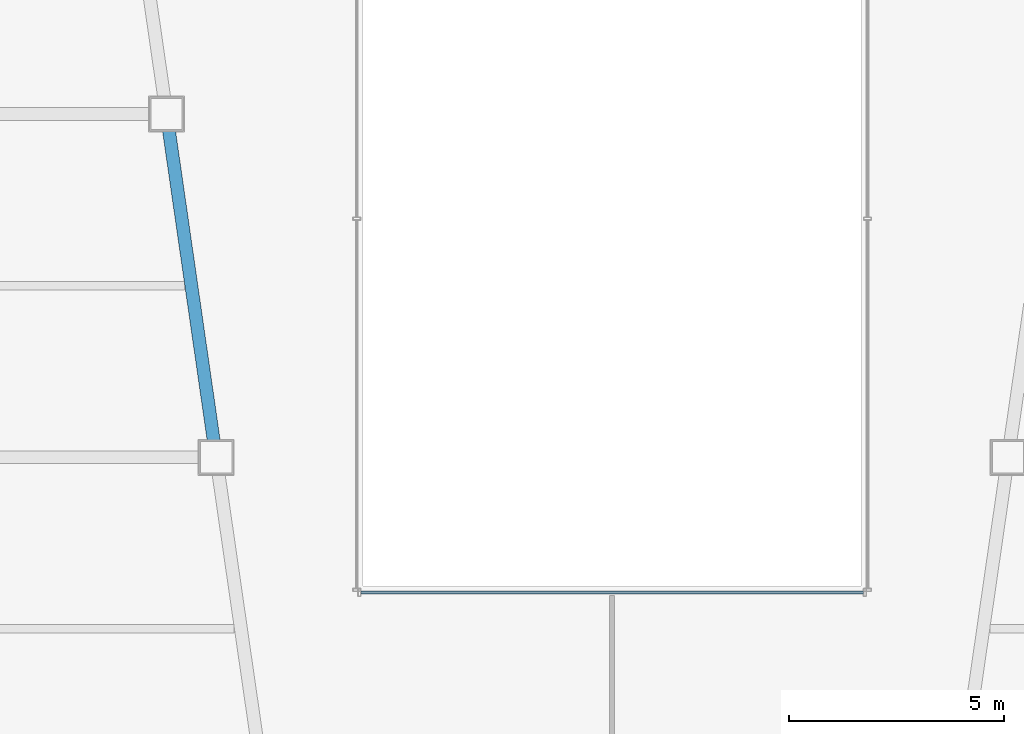
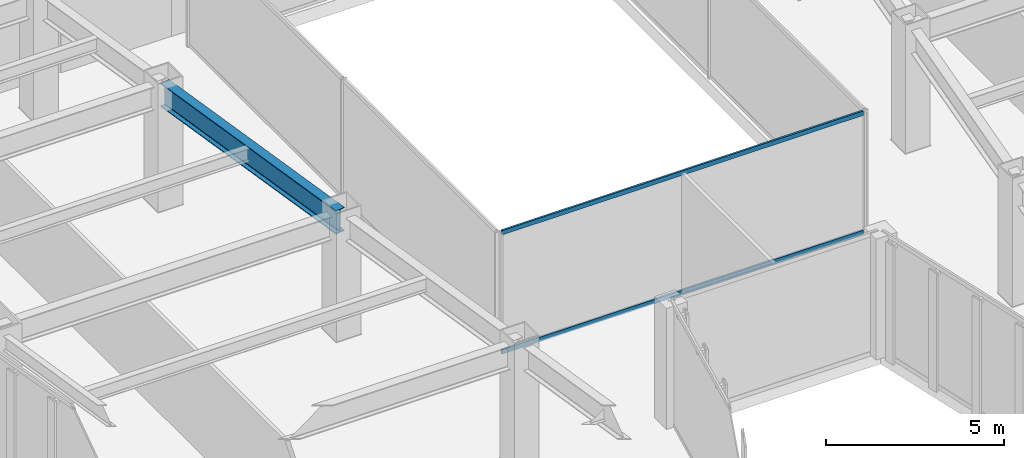
# One storey, part 13 of 49: 2 members, 1 beam, 1 element without a shape of its own.
"""IFC4 building model written with IfcOpenShell, lengths in metres."""

from ifc_helpers import new_model, si_unit, direction, frame, origin, origin_2d, place, context, subcontext, project, spatial, hollow_rectangle, i_section, extrude, material, material_profile, profile_set, type_object, element, aggregate, save


model = new_model("IFC4")

# Units and contexts
model_context = context("Model", 3, precision=1e-05, world=origin(), true_north=direction((0.0, 1.0)))
body_context = subcontext(model_context, "Body", "Model", "MODEL_VIEW")
ifc_project = project(units=[si_unit("LENGTHUNIT", "METRE"), si_unit("AREAUNIT", "SQUARE_METRE"), si_unit("VOLUMEUNIT", "CUBIC_METRE"), si_unit("PLANEANGLEUNIT", "RADIAN"), si_unit("MASSUNIT", "GRAM", prefix="KILO")], contexts=[model_context])

# Site, building, storey
site_placement = place(None, origin())
site = spatial("IfcSite", under=ifc_project, at=site_placement, CompositionType="ELEMENT")
building_placement = place(site_placement, origin())
building = spatial("IfcBuilding", under=site, at=building_placement, Name="Saevonmaru Cultural Tower", CompositionType="ELEMENT")
storey_placement = place(building_placement, frame((0.0, 0.0, 38.39990234375)))
storey = spatial("IfcBuildingStorey", under=building, at=storey_placement, Name="L07", CompositionType="ELEMENT", Elevation=38.39990234375)

# Beam
ifc_material_1 = material(Name="Steel SM420", Category="steel")
ifc_material_profile_1 = material_profile(ifc_material_1, i_section(OverallWidth=0.300048828125, OverallDepth=0.800048828125, WebThickness=0.013916015625, FlangeThickness=0.02587890625, FilletRadius=0.028076171875, at=origin_2d()), Name="H-800x300x14x26")
ifc_profile_set_1 = profile_set([ifc_material_profile_1], Name="Steel SM420")
beam_type = type_object("IfcBeamType", Name="BM-G-H800", PredefinedType="BEAM", material=ifc_profile_set_1)
beam_placement = place(storey_placement, frame((20.763427734375, 24.059326171875, 3.75), z_axis=(-0.142902032203, 0.989736838353, 0.0), x_axis=(-0.989736838353, -0.142902032203, 0.0)))
element("IfcBeam", 1, at=beam_placement, inside=storey, type_object=beam_type, Name="L07 West Atrium Girder 4", PredefinedType="BEAM", context=body_context, shape_type="SweptSolid", body=[
    extrude(i_section(OverallWidth=0.300048828125, OverallDepth=0.800048828125, WebThickness=0.013916015625, FlangeThickness=0.02587890625, FilletRadius=0.028076171875, at=origin_2d()), origin(), (0.0, 0.0, 1.0), 7.963134765625),
])

# Curtain wall, members
ifc_material_2 = material(Name="Satin Bronze Anodised Aluminium", Category="aluminium")
curtain_wall_type = type_object("IfcCurtainWallType", Name="CW-ATR-GLZ", PredefinedType="NOTDEFINED", material=ifc_material_2)
curtain_wall_placement = place(storey_placement, origin())
curtain_wall = element("IfcCurtainWall", 2, at=curtain_wall_placement, inside=storey, type_object=curtain_wall_type, Name="L07 Vertical Atrium Glazed Smoke Screen 1", PredefinedType="NOTDEFINED")
ifc_material_profile_2 = material_profile(ifc_material_2, hollow_rectangle(XDim=0.06494140625, YDim=0.14990234375, WallThickness=0.00390625, at=origin_2d()), Name="ALU-TRAN-150x65x4")
ifc_profile_set_2 = profile_set([ifc_material_profile_2], Name="Satin Bronze Anodised Aluminium")
member_type = type_object("IfcMemberType", Name="TR-CW-INT-150x65", PredefinedType="USERDEFINED", material=ifc_profile_set_2)
member_1_placement = place(storey_placement, frame((24.142578125, 20.85009765625, 0.03271484375), z_axis=(1.0, 0.0, 0.0), x_axis=(0.0, 1.0, 0.0)))
member_1 = element("IfcMember", 3, at=member_1_placement, type_object=member_type, Name="CW-ATR-L07-1 transom 1.1", ObjectType="TRANSOM", PredefinedType="USERDEFINED", context=body_context, shape_type="SweptSolid", body=[
    extrude(hollow_rectangle(XDim=0.06494140625, YDim=0.14990234375, WallThickness=0.00390625, at=origin_2d()), origin(), (0.0, 0.0, 1.0), 11.71484375),
])
member_2_placement = place(storey_placement, frame((24.142578125, 20.85009765625, 4.11767578125), z_axis=(1.0, 0.0, 0.0), x_axis=(0.0, 1.0, 0.0)))
member_2 = element("IfcMember", 4, at=member_2_placement, type_object=member_type, Name="CW-ATR-L07-1 transom 1.2", ObjectType="TRANSOM", PredefinedType="USERDEFINED", context=body_context, shape_type="SweptSolid", body=[
    extrude(hollow_rectangle(XDim=0.06494140625, YDim=0.14990234375, WallThickness=0.00390625, at=origin_2d()), origin(), (0.0, 0.0, 1.0), 11.71484375),
])
aggregate(curtain_wall, [member_1, member_2])

save(model, "model.ifc")
